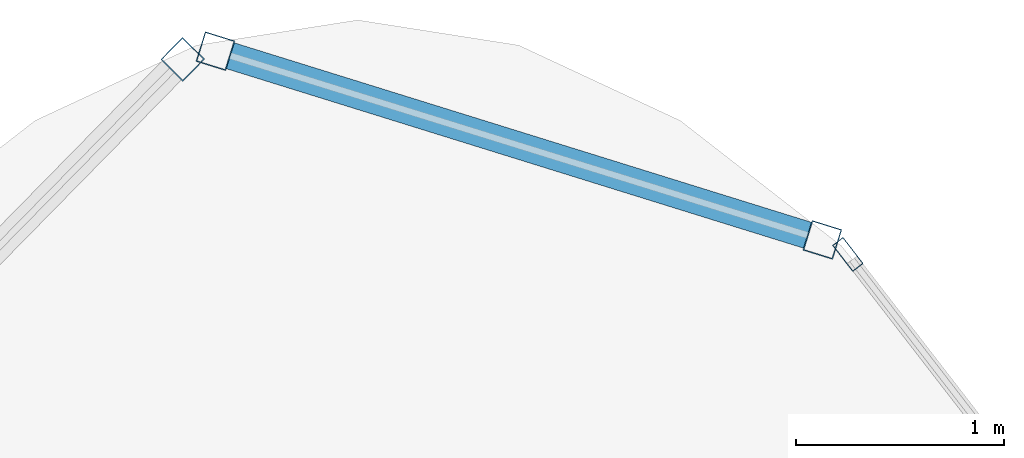
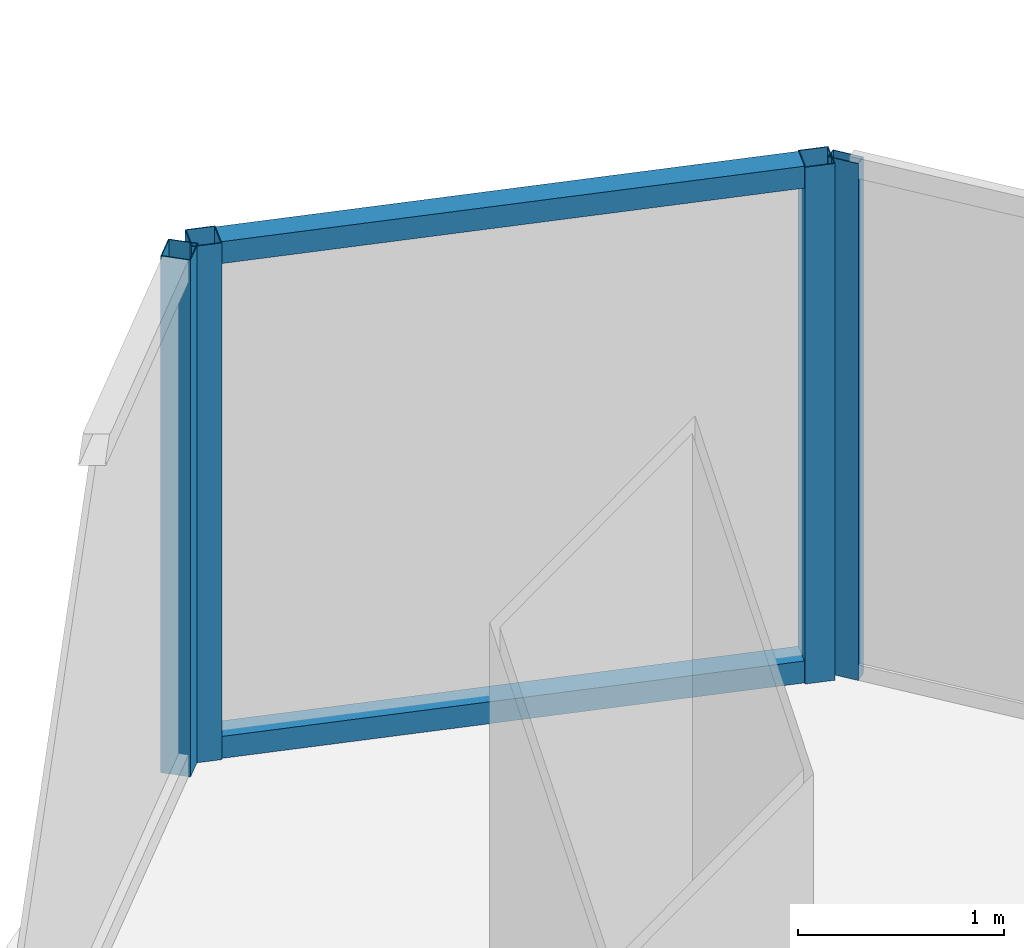
# One storey, part 23 of 28: 6 members, 3 elements without a shape of their own.
"""IFC4 building model written with IfcOpenShell, lengths in metres."""

from ifc_helpers import new_model, si_unit, direction, frame, origin, origin_2d, place, context, subcontext, project, spatial, hollow_rectangle, extrude, material, layer, layer_set, material_profile, profile_set, type_object, element, aggregate, save


model = new_model("IFC4")

# Units and contexts
model_context = context("Model", 3, precision=1e-05, world=origin(), true_north=direction((0.0, 1.0)))
body_context = subcontext(model_context, "Body", "Model", "MODEL_VIEW")
ifc_project = project(units=[si_unit("LENGTHUNIT", "METRE"), si_unit("AREAUNIT", "SQUARE_METRE"), si_unit("VOLUMEUNIT", "CUBIC_METRE"), si_unit("PLANEANGLEUNIT", "RADIAN"), si_unit("MASSUNIT", "GRAM", prefix="KILO")], contexts=[model_context])

# Site, building, storey
site_placement = place(None, origin())
site = spatial("IfcSite", under=ifc_project, at=site_placement, CompositionType="ELEMENT")
building_placement = place(site_placement, origin())
building = spatial("IfcBuilding", under=site, at=building_placement, Name="Orvanel Arch Residences", CompositionType="ELEMENT")
storey_placement = place(building_placement, frame((0.0, 0.0, 266.75)))
storey = spatial("IfcBuildingStorey", under=building, at=storey_placement, Name="L76", CompositionType="ELEMENT", Elevation=266.75)

# Curtain wall, members
ifc_material = material(Name="Bronze-anodised aluminium AA6063-T6", Category="aluminium")
ifc_layer_1 = layer(ifc_material, 0.18994140625)
ifc_layer_set_1 = layer_set([ifc_layer_1], Name="Bronze-anodised aluminium AA6063-T6")
curtain_wall_type_1 = type_object("IfcCurtainWallType", Name="CW5-CRN-SYS", PredefinedType="NOTDEFINED", material=ifc_layer_set_1)
curtain_wall_1_placement = place(storey_placement, origin())
curtain_wall_1 = element("IfcCurtainWall", 1, at=curtain_wall_1_placement, inside=storey, type_object=curtain_wall_type_1, Name="L76 CW5-CRN-SYS Unitised Curtain Wall", PredefinedType="NOTDEFINED")
ifc_material_profile_1 = material_profile(ifc_material, hollow_rectangle(XDim=0.14990234375, YDim=0.14990234375, WallThickness=0.0048828125, at=origin_2d()), Name="ALU150x150x5")
ifc_profile_set_1 = profile_set([ifc_material_profile_1], Name="Bronze-anodised aluminium AA6063-T6")
member_type_1 = type_object("IfcMemberType", Name="MUL-150x150", PredefinedType="MULLION", material=ifc_profile_set_1)
member_1_placement = place(storey_placement, frame((35.2294921875, 43.6591796875, 0.0), z_axis=(0.0, 0.0, 1.0), x_axis=(-0.296939890194, -0.95489617321, 0.0)))
member_1 = element("IfcMember", 2, at=member_1_placement, type_object=member_type_1, Name="CW-S5 mullion 1", PredefinedType="MULLION", context=body_context, shape_type="SweptSolid", body=[
    extrude(hollow_rectangle(XDim=0.14990234375, YDim=0.14990234375, WallThickness=0.0048828125, at=origin_2d()), origin(), (0.0, 0.0, 1.0), 3.06005859375),
])
member_2_placement = place(storey_placement, frame((32.317626953125, 44.564697265625, 0.0), z_axis=(0.0, 0.0, 1.0), x_axis=(-0.296939890194, -0.95489617321, 0.0)))
member_2 = element("IfcMember", 3, at=member_2_placement, type_object=member_type_1, Name="CW-S5 mullion 2", PredefinedType="MULLION", context=body_context, shape_type="SweptSolid", body=[
    extrude(hollow_rectangle(XDim=0.14990234375, YDim=0.14990234375, WallThickness=0.0048828125, at=origin_2d()), origin(), (0.0, 0.0, 1.0), 3.06005859375),
])

# Curtain wall, member
curtain_wall_2_placement = place(storey_placement, origin())
curtain_wall_2 = element("IfcCurtainWall", 4, at=curtain_wall_2_placement, inside=storey, type_object=curtain_wall_type_1, Name="L76 CW5-CRN-SYS Unitised Curtain Wall", PredefinedType="NOTDEFINED")
member_3_placement = place(storey_placement, frame((32.160400390625, 44.525390625, 0.0), z_axis=(0.0, 0.0, 1.0), x_axis=(0.713621357138, -0.700531625722, 0.0)))
member_3 = element("IfcMember", 5, at=member_3_placement, type_object=member_type_1, Name="CW-S5 mullion 1", PredefinedType="MULLION", context=body_context, shape_type="SweptSolid", body=[
    extrude(hollow_rectangle(XDim=0.14990234375, YDim=0.14990234375, WallThickness=0.0048828125, at=origin_2d()), origin(), (0.0, 0.0, 1.0), 3.06005859375),
])
aggregate(curtain_wall_2, [member_3])

ifc_layer_2 = layer(ifc_material, 0.175048828125)
ifc_layer_set_2 = layer_set([ifc_layer_2], Name="Bronze-anodised aluminium AA6063-T6")
curtain_wall_type_2 = type_object("IfcCurtainWallType", Name="CW4-HI-SYS", PredefinedType="NOTDEFINED", material=ifc_layer_set_2)
curtain_wall_3_placement = place(storey_placement, origin())
curtain_wall_3 = element("IfcCurtainWall", 6, at=curtain_wall_3_placement, inside=storey, type_object=curtain_wall_type_2, Name="L76 CW4-HI-SYS Unitised Curtain Wall", PredefinedType="NOTDEFINED")
ifc_material_profile_2 = material_profile(ifc_material, hollow_rectangle(XDim=0.06494140625, YDim=0.159912109375, WallThickness=0.00390625, at=origin_2d()), Name="ALU160x65x4")
ifc_profile_set_2 = profile_set([ifc_material_profile_2], Name="Bronze-anodised aluminium AA6063-T6")
member_type_2 = type_object("IfcMemberType", Name="MUL-160x65", PredefinedType="MULLION", material=ifc_profile_set_2)
member_4_placement = place(storey_placement, frame((35.351806640625, 43.58935546875, 0.0), z_axis=(0.0, 0.0, 1.0), x_axis=(-0.791176992709, -0.611587251509, 0.0)))
member_4 = element("IfcMember", 7, at=member_4_placement, type_object=member_type_2, Name="CW-S4 mullion 3", PredefinedType="MULLION", context=body_context, shape_type="SweptSolid", body=[
    extrude(hollow_rectangle(XDim=0.06494140625, YDim=0.159912109375, WallThickness=0.00390625, at=origin_2d()), origin(), (0.0, 0.0, 1.0), 3.06005859375),
])
aggregate(curtain_wall_3, [member_4])

# Member
ifc_material_profile_3 = material_profile(ifc_material, hollow_rectangle(XDim=0.1298828125, YDim=0.1298828125, WallThickness=0.00439453125, at=origin_2d()), Name="ALU130x130x4.5")
ifc_profile_set_3 = profile_set([ifc_material_profile_3], Name="Bronze-anodised aluminium AA6063-T6")
member_type_3 = type_object("IfcMemberType", Name="TRN-130x130", PredefinedType="USERDEFINED", material=ifc_profile_set_3)
member_5_placement = place(storey_placement, frame((35.15771484375, 43.681640625, 0.06494140625), z_axis=(-0.954904535486, 0.296912997542, 0.0), x_axis=(-0.296912997542, -0.954904535486, 0.0)))
member_5 = element("IfcMember", 8, at=member_5_placement, type_object=member_type_3, Name="CW-S5 transom 1.1", ObjectType="TRANSOM", PredefinedType="USERDEFINED", context=body_context, shape_type="SweptSolid", body=[
    extrude(hollow_rectangle(XDim=0.1298828125, YDim=0.1298828125, WallThickness=0.00439453125, at=origin_2d()), origin(), (0.0, 0.0, 1.0), 2.8994140625),
])

member_6_placement = place(storey_placement, frame((35.15771484375, 43.681640625, 2.9951171875), z_axis=(-0.954904535486, 0.296912997542, 0.0), x_axis=(-0.296912997542, -0.954904535486, 0.0)))
member_6 = element("IfcMember", 9, at=member_6_placement, type_object=member_type_3, Name="CW-S5 transom 1.2", ObjectType="TRANSOM", PredefinedType="USERDEFINED", context=body_context, shape_type="SweptSolid", body=[
    extrude(hollow_rectangle(XDim=0.1298828125, YDim=0.1298828125, WallThickness=0.00439453125, at=origin_2d()), origin(), (0.0, 0.0, 1.0), 2.8994140625),
])

aggregate(curtain_wall_1, [member_1, member_2, member_5, member_6])

save(model, "model.ifc")
